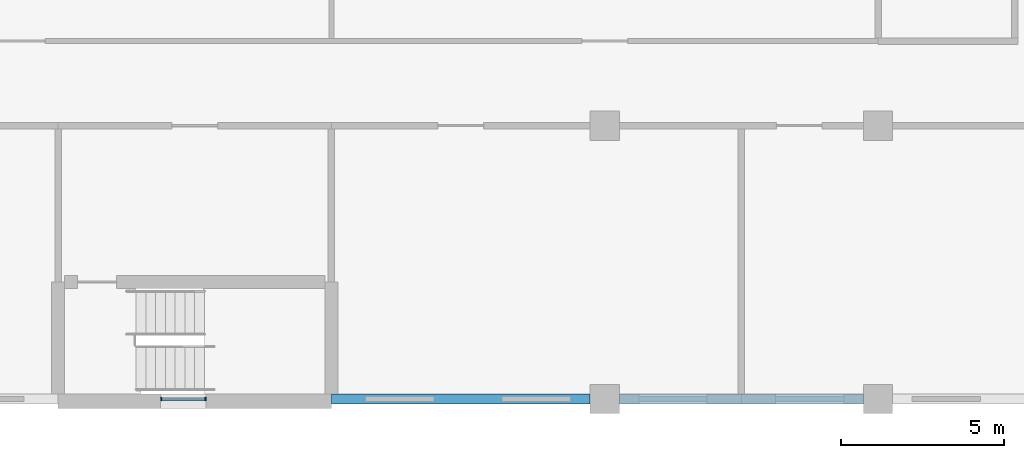
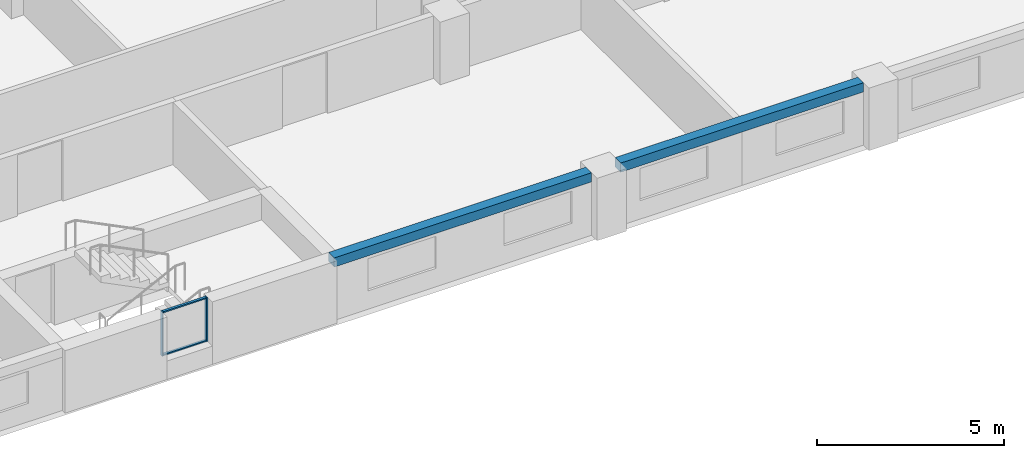
# One storey, part 9 of 48: 4 members, 2 beams, 1 element without a shape of its own.
"""IFC4 building model written with IfcOpenShell, lengths in metres."""

from ifc_helpers import new_model, si_unit, direction, frame, origin, origin_2d, place, context, subcontext, project, spatial, rectangle, extrude, material, material_profile, profile_set, type_object, element, aggregate, save


model = new_model("IFC4")

# Units and contexts
model_context = context("Model", 3, precision=1e-05, world=origin(), true_north=direction((0.0, 1.0)))
body_context = subcontext(model_context, "Body", "Model", "MODEL_VIEW")
ifc_project = project(units=[si_unit("LENGTHUNIT", "METRE"), si_unit("AREAUNIT", "SQUARE_METRE"), si_unit("VOLUMEUNIT", "CUBIC_METRE"), si_unit("PLANEANGLEUNIT", "RADIAN"), si_unit("MASSUNIT", "GRAM", prefix="KILO")], contexts=[model_context])

# Site, building, storey
site_placement = place(None, origin())
site = spatial("IfcSite", under=ifc_project, at=site_placement, CompositionType="ELEMENT")
building_placement = place(site_placement, origin())
building = spatial("IfcBuilding", under=site, at=building_placement, Name="Yavir Park General Hospital", CompositionType="ELEMENT")
storey_placement = place(building_placement, frame((0.0, 0.0, 12.89990234375)))
storey = spatial("IfcBuildingStorey", under=building, at=storey_placement, Name="I02", CompositionType="ELEMENT", Elevation=12.89990234375)

# Beams
ifc_material_1 = material(Name="Concrete C35/45", Category="concrete")
ifc_material_profile_1 = material_profile(ifc_material_1, rectangle(XDim=0.300048828125, YDim=0.300048828125, at=origin_2d()), Name="RC300x300")
ifc_profile_set_1 = profile_set([ifc_material_profile_1], Name="Concrete C35/45")
beam_type = type_object("IfcBeamType", Name="RC BEAM 300x300 edge beam", PredefinedType="BEAM", material=ifc_profile_set_1)
beam_1_placement = place(storey_placement, frame((75.60009765625, 0.0, 1.89013671875), z_axis=(1.0, 0.0, 0.0), x_axis=(0.0, 1.0, 0.0)))
element("IfcBeam", 1, at=beam_1_placement, inside=storey, type_object=beam_type, Name="B:EDGE:I02:008", PredefinedType="BEAM", context=body_context, shape_type="SweptSolid", body=[
    extrude(rectangle(XDim=0.300048828125, YDim=0.300048828125, at=origin_2d()), origin(), (0.0, 0.0, 1.0), 7.949951171875),
])
beam_2_placement = place(storey_placement, frame((84.449951171875, 0.0, 1.89013671875), z_axis=(1.0, 0.0, 0.0), x_axis=(0.0, 1.0, 0.0)))
element("IfcBeam", 2, at=beam_2_placement, inside=storey, type_object=beam_type, Name="B:EDGE:I02:009", PredefinedType="BEAM", context=body_context, shape_type="SweptSolid", body=[
    extrude(rectangle(XDim=0.300048828125, YDim=0.300048828125, at=origin_2d()), origin(), (0.0, 0.0, 1.0), 7.5),
])

# Curtain wall, members
ifc_material_2 = material(Name="Aluminium curtain wall frame with insulated glazing", Category="aluminium")
curtain_wall_type = type_object("IfcCurtainWallType", Name="Stair light slot, interstitial floor, 1440 high, 1400 module", PredefinedType="NOTDEFINED", material=ifc_material_2)
curtain_wall_placement = place(storey_placement, origin())
curtain_wall = element("IfcCurtainWall", 3, at=curtain_wall_placement, inside=storey, type_object=curtain_wall_type, Name="CW12 I02-002", PredefinedType="NOTDEFINED")
ifc_material_3 = material(Name="Aluminium", Category="aluminium")
ifc_material_profile_2 = material_profile(ifc_material_3, rectangle(XDim=0.10009765625, YDim=0.0400390625, at=origin_2d()), Name="AL 40x100")
ifc_profile_set_2 = profile_set([ifc_material_profile_2], Name="Aluminium")
member_type_1 = type_object("IfcMemberType", Name="Stair light slot, interstitial floor, 1440 high mullion 40 x 100", PredefinedType="MULLION", material=ifc_profile_set_2)
member_1_placement = place(storey_placement, frame((70.3701171875, 0.0, 0.60009765625), z_axis=(0.0, 0.0, 1.0), x_axis=(0.0, 1.0, 0.0)))
member_1 = element("IfcMember", 4, at=member_1_placement, type_object=member_type_1, Name="CW12 mullion 1", PredefinedType="MULLION", context=body_context, shape_type="SweptSolid", body=[
    extrude(rectangle(XDim=0.10009765625, YDim=0.0400390625, at=origin_2d()), origin(), (0.0, 0.0, 1.0), 1.43994140625),
])
member_2_placement = place(storey_placement, frame((71.72998046875, 0.0, 0.60009765625), z_axis=(0.0, 0.0, 1.0), x_axis=(0.0, 1.0, 0.0)))
member_2 = element("IfcMember", 5, at=member_2_placement, type_object=member_type_1, Name="CW12 mullion 2", PredefinedType="MULLION", context=body_context, shape_type="SweptSolid", body=[
    extrude(rectangle(XDim=0.10009765625, YDim=0.0400390625, at=origin_2d()), origin(), (0.0, 0.0, 1.0), 1.43994140625),
])
ifc_material_4 = material(Name="Aluminium", Category="aluminium")
ifc_material_profile_3 = material_profile(ifc_material_4, rectangle(XDim=0.080078125, YDim=0.0400390625, at=origin_2d()), Name="AL 80x40")
ifc_profile_set_3 = profile_set([ifc_material_profile_3], Name="Aluminium")
member_type_2 = type_object("IfcMemberType", Name="Stair light slot, interstitial floor, 1440 high transom 40 x 80", PredefinedType="MULLION", material=ifc_profile_set_3)
member_3_placement = place(storey_placement, frame((70.389892578125, 0.0, 0.6201171875), z_axis=(1.0, 0.0, 0.0), x_axis=(0.0, 1.0, 0.0)))
member_3 = element("IfcMember", 6, at=member_3_placement, type_object=member_type_2, Name="CW12 transom 1.1", PredefinedType="MULLION", context=body_context, shape_type="SweptSolid", body=[
    extrude(rectangle(XDim=0.080078125, YDim=0.0400390625, at=origin_2d()), origin(), (0.0, 0.0, 1.0), 1.320068359375),
])
member_4_placement = place(storey_placement, frame((70.389892578125, 0.0, 2.02001953125), z_axis=(1.0, 0.0, 0.0), x_axis=(0.0, 1.0, 0.0)))
member_4 = element("IfcMember", 7, at=member_4_placement, type_object=member_type_2, Name="CW12 transom 1.2", PredefinedType="MULLION", context=body_context, shape_type="SweptSolid", body=[
    extrude(rectangle(XDim=0.080078125, YDim=0.0400390625, at=origin_2d()), origin(), (0.0, 0.0, 1.0), 1.320068359375),
])
aggregate(curtain_wall, [member_1, member_2, member_3, member_4])

save(model, "model.ifc")
